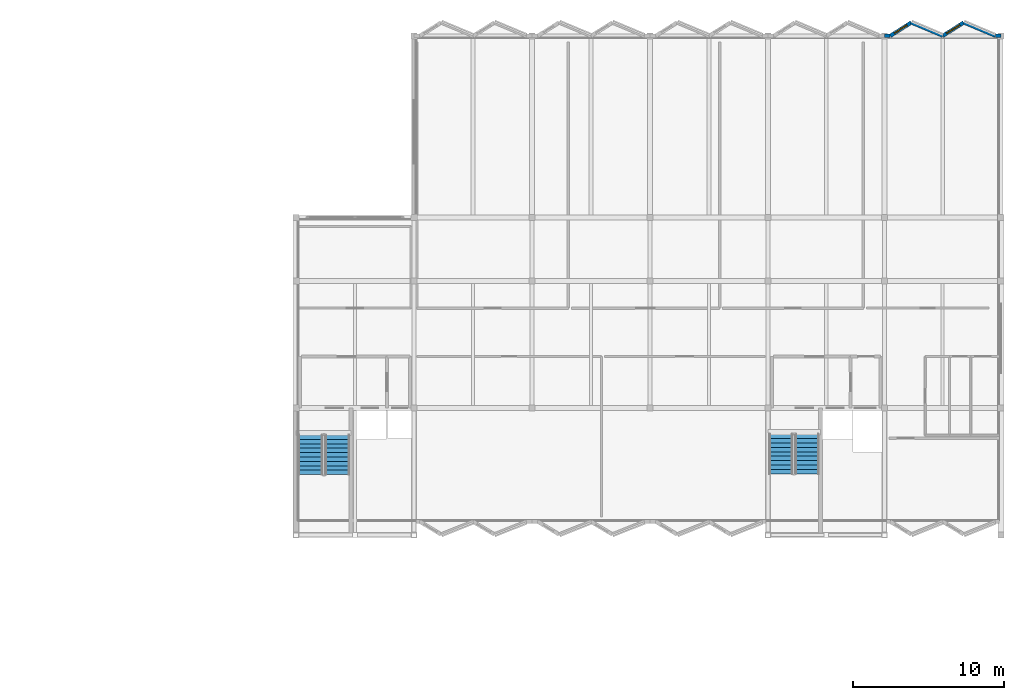
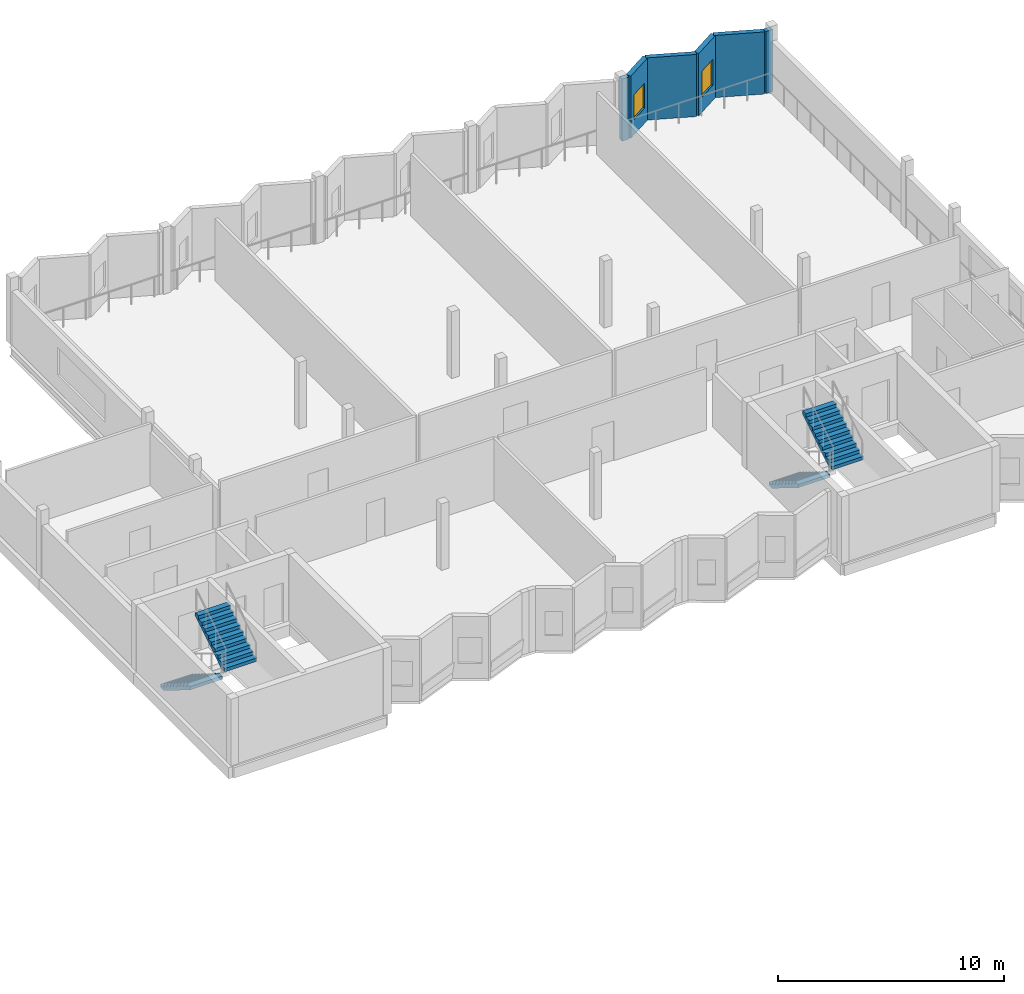
# One storey, part 10 of 15: 6 walls, 4 stair flights, 2 windows, 2 openings, 2 elements without a shape of their own.
"""IFC4 building model written with IfcOpenShell, lengths in metres."""

from ifc_helpers import new_model, si_unit, direction, frame, frame_2d, origin, place, context, subcontext, project, spatial, polyline, rectangle, outline, extrude, material, layer, layer_set, type_object, element, fill, aggregate, save


model = new_model("IFC4")

# Units and contexts
model_context = context("Model", 3, precision=1e-05, world=origin(), true_north=direction((0.0, 1.0)))
body_context = subcontext(model_context, "Body", "Model", "MODEL_VIEW")
ifc_project = project(units=[si_unit("LENGTHUNIT", "METRE"), si_unit("AREAUNIT", "SQUARE_METRE"), si_unit("VOLUMEUNIT", "CUBIC_METRE"), si_unit("PLANEANGLEUNIT", "RADIAN"), si_unit("MASSUNIT", "GRAM", prefix="KILO")], contexts=[model_context])

# Site, building, storey
site_placement = place(None, origin())
site = spatial("IfcSite", under=ifc_project, at=site_placement, CompositionType="ELEMENT")
building_placement = place(site_placement, origin())
building = spatial("IfcBuilding", under=site, at=building_placement, Name="Vharandega Faculty of Natural Sciences", CompositionType="ELEMENT")
storey_placement = place(building_placement, frame((0.0, 0.0, 32.39990234375)))
storey = spatial("IfcBuildingStorey", under=building, at=storey_placement, Name="L08", CompositionType="ELEMENT", Elevation=32.39990234375)

# Wall, opening, window
ifc_material_1 = material(Name="Precast concrete C40/50", Category="concrete")
ifc_layer_1 = layer(ifc_material_1, 0.25, Name="Precast concrete C40/50")
ifc_layer_set_1 = layer_set([ifc_layer_1], Name="Precast concrete C40/50")
wall_type_1 = type_object("IfcWallType", Name="Sawtooth Glazed-Face Precast Wall 250", PredefinedType="SOLIDWALL", material=ifc_layer_set_1)
wall_1_placement = place(storey_placement, frame((154.080078125, 97.0, 0.0), z_axis=(0.0, 0.0, 1.0), x_axis=(0.844583954912, 0.535423143976, 0.0)))
wall_1 = element("IfcWall", 1, at=wall_1_placement, inside=storey, type_object=wall_type_1, Name="Exterior Wall EW-SAW-L08-N09G", PredefinedType="SOLIDWALL", context=body_context, shape_type="SweptSolid", body=[
    extrude(rectangle(XDim=1.643310546875, YDim=0.25, at=frame_2d((0.82177734375, 0.0))), origin(), (0.0, 0.0, 1.0), 3.360107421875),
])
opening_1_placement = place(wall_1_placement, frame((0.32177734375, 0.0, 0.820068359375)))
opening_1 = element("IfcOpeningElement", 2, at=opening_1_placement, cuts=wall_1, Name="Opening WN-05", PredefinedType="OPENING", context=body_context, shape_type="SweptSolid", body=[
    extrude(rectangle(XDim=1.0, YDim=1.35009765625, at=frame_2d((0.5, 0.675048828125))), frame((0.0, 0.135009765625, 0.0), z_axis=(0.0, -1.0, 0.0), x_axis=(1.0, 0.0, 0.0)), (0.0, 0.0, 1.0), 0.27001953125),
])
ifc_material_2 = material(Name="Double-glazed solar-control glass in thermally broken aluminium frame", Category="aluminium")
window_type_1 = type_object("IfcWindowType", Name="WIN-SAW-100x135", PartitioningType="SINGLE_PANEL", PredefinedType="WINDOW", material=ifc_material_2)
window_1_placement = place(opening_1_placement, origin())
window_1 = element("IfcWindow", 3, at=window_1_placement, inside=storey, type_object=window_type_1, Name="Window WIN-L08-0077", OverallHeight=1.35009765625, OverallWidth=1.0, PartitioningType="SINGLE_PANEL", PredefinedType="WINDOW", context=body_context, shape_type="SweptSolid", body=[
    extrude(rectangle(XDim=1.0, YDim=1.35009765625, at=frame_2d((0.5, 0.675048828125))), frame((0.0, 0.030029296875, 0.0), z_axis=(0.0, -1.0, 0.0), x_axis=(1.0, 0.0, 0.0)), (0.0, 0.0, 1.0), 0.06005859375),
])
fill(opening_1, window_1)

wall_2_placement = place(storey_placement, frame((157.550048828125, 97.0, 0.0), z_axis=(0.0, 0.0, 1.0), x_axis=(0.844583954912, 0.535423143976, 0.0)))
wall_2 = element("IfcWall", 4, at=wall_2_placement, inside=storey, type_object=wall_type_1, Name="Exterior Wall EW-SAW-L08-N10G", PredefinedType="SOLIDWALL", context=body_context, shape_type="SweptSolid", body=[
    extrude(rectangle(XDim=1.643310546875, YDim=0.25, at=frame_2d((0.82177734375, 0.0))), origin(), (0.0, 0.0, 1.0), 3.360107421875),
])
opening_2_placement = place(wall_2_placement, frame((0.296630859375, 0.0, 0.820068359375)))
opening_2 = element("IfcOpeningElement", 5, at=opening_2_placement, cuts=wall_2, Name="Opening WN-06", PredefinedType="OPENING", context=body_context, shape_type="SweptSolid", body=[
    extrude(rectangle(XDim=1.050048828125, YDim=1.39990234375, at=frame_2d((0.52490234375, 0.699951171875))), frame((0.0, 0.135009765625, 0.0), z_axis=(0.0, -1.0, 0.0), x_axis=(1.0, 0.0, 0.0)), (0.0, 0.0, 1.0), 0.27001953125),
])
ifc_material_3 = material(Name="Double-glazed solar-control glass in thermally broken aluminium frame", Category="aluminium")
window_type_2 = type_object("IfcWindowType", Name="WIN-SAW-105x140", PartitioningType="SINGLE_PANEL", PredefinedType="WINDOW", material=ifc_material_3)
window_2_placement = place(opening_2_placement, origin())
window_2 = element("IfcWindow", 6, at=window_2_placement, inside=storey, type_object=window_type_2, Name="Window WIN-L08-0078", OverallHeight=1.39990234375, OverallWidth=1.050048828125, PartitioningType="SINGLE_PANEL", PredefinedType="WINDOW", context=body_context, shape_type="SweptSolid", body=[
    extrude(rectangle(XDim=1.050048828125, YDim=1.39990234375, at=frame_2d((0.52490234375, 0.699951171875))), frame((0.0, 0.030029296875, 0.0), z_axis=(0.0, -1.0, 0.0), x_axis=(1.0, 0.0, 0.0)), (0.0, 0.0, 1.0), 0.06005859375),
])
fill(opening_2, window_2)

# Walls
ifc_material_4 = material(Name="Precast concrete C40/50", Category="concrete")
ifc_layer_2 = layer(ifc_material_4, 0.22998046875, Name="Precast concrete C40/50")
ifc_layer_set_2 = layer_set([ifc_layer_2], Name="Precast concrete C40/50")
wall_type_2 = type_object("IfcWallType", Name="Sawtooth Solid White Precast Wall 230", PredefinedType="SOLIDWALL", material=ifc_layer_set_2)
wall_3_placement = place(storey_placement, frame((153.699951171875, 97.0, 0.0), z_axis=(0.0, 0.0, 1.0), x_axis=(1.0, 0.0, 0.0)))
element("IfcWall", 7, at=wall_3_placement, inside=storey, type_object=wall_type_2, Name="Exterior Wall EW-SHL-L08-N20L", PredefinedType="SOLIDWALL", context=body_context, shape_type="SweptSolid", body=[
    extrude(rectangle(XDim=0.35009765625, YDim=0.22998046875, at=frame_2d((0.175048828125, 0.0))), origin(), (0.0, 0.0, 1.0), 3.360107421875),
])
wall_4_placement = place(storey_placement, frame((161.050048828125, 97.0, 0.0), z_axis=(0.0, 0.0, 1.0), x_axis=(1.0, 0.0, 0.0)))
element("IfcWall", 8, at=wall_4_placement, inside=storey, type_object=wall_type_2, Name="Exterior Wall EW-SHL-L08-N21R", PredefinedType="SOLIDWALL", context=body_context, shape_type="SweptSolid", body=[
    extrude(rectangle(XDim=0.349853515625, YDim=0.22998046875, at=frame_2d((0.1748046875, 0.0))), origin(), (0.0, 0.0, 1.0), 3.360107421875),
])
for number, where, z_axis, x_axis, name in (
    (9, (155.468017578125, 97.8798828125, 0.0), (0.0, 0.0, 1.0), (0.921122216024, -0.389273506866, 0.0), "Exterior Wall EW-SAW-L08-N09S"),
    (10, (158.93798828125, 97.8798828125, 0.0), (0.0, 0.0, 1.0), (0.921122216024, -0.389273506866, 0.0), "Exterior Wall EW-SAW-L08-N10S"),
):
    element("IfcWall", number, at=place(storey_placement, frame(where, z_axis=z_axis, x_axis=x_axis)), inside=storey, type_object=wall_type_2, Name=name, PredefinedType="SOLIDWALL", context=body_context, shape_type="SweptSolid", body=[
        extrude(rectangle(XDim=2.26025390625, YDim=0.22998046875, at=frame_2d((1.130126953125, 0.0))), origin(), (0.0, 0.0, 1.0), 3.360107421875),
    ])

# Stair, stair flights
ifc_material_5 = material(Name="Concrete C40/50", Category="concrete")
stair_type_1 = type_object("IfcStairType", Name="Escape Dog-Leg Stair W160 H360", PredefinedType="HALF_TURN_STAIR", material=ifc_material_5)
stair_1_placement = place(storey_placement, origin())
stair_1 = element("IfcStair", 11, at=stair_1_placement, inside=storey, type_object=stair_type_1, Name="L08 Escape Stair ST2", PredefinedType="HALF_TURN_STAIR")
ifc_material_6 = material(Name="Concrete C40/50", Category="concrete")
stair_flight_type_1 = type_object("IfcStairFlightType", Name="Precast Stair Flight W160 H360", PredefinedType="STRAIGHT", material=ifc_material_6)
stair_flight_1_placement = place(storey_placement, frame((146.860107421875, 70.659912109375, 0.0), z_axis=(0.0, 0.0, 1.0), x_axis=(0.0, -1.0, 0.0)))
stair_flight_1 = element("IfcStairFlight", 12, at=stair_flight_1_placement, type_object=stair_flight_type_1, Name="ST2 flight 1", NumberOfRisers=10, NumberOfTreads=9, PredefinedType="STRAIGHT", RiserHeight=0.18, TreadLength=0.29, context=body_context, shape_type="SweptSolid", body=[
    extrude(outline(polyline([(0.0, 0.0), (0.0, 0.179931640625), (0.2900390625, 0.179931640625), (0.2900390625, 0.360107421875), (0.580078125, 0.360107421875), (0.580078125, 0.5400390625), (0.8701171875, 0.5400390625), (0.8701171875, 0.719970703125), (1.159912109375, 0.719970703125), (1.159912109375, 0.89990234375), (1.449951171875, 0.89990234375), (1.449951171875, 1.080078125), (1.739990234375, 1.080078125), (1.739990234375, 1.260009765625), (2.030029296875, 1.260009765625), (2.030029296875, 1.43994140625), (2.320068359375, 1.43994140625), (2.320068359375, 1.6201171875), (2.610107421875, 1.6201171875), (2.610107421875, 1.800048828125), (2.610107421875, 1.443603515625), (0.2841796875, 0.0), (0.0, 0.0)])), frame((0.0, 0.800048828125, 0.0), z_axis=(0.0, -1.0, 0.0), x_axis=(1.0, 0.0, 0.0)), (0.0, 0.0, 1.0), 1.60009765625),
])
stair_flight_2_placement = place(storey_placement, frame((148.580078125, 68.050048828125, 1.800048828125), z_axis=(0.0, 0.0, 1.0), x_axis=(0.0, 1.0, 0.0)))
stair_flight_2 = element("IfcStairFlight", 13, at=stair_flight_2_placement, type_object=stair_flight_type_1, Name="ST2 flight 2", NumberOfRisers=10, NumberOfTreads=9, PredefinedType="STRAIGHT", RiserHeight=0.18, TreadLength=0.29, context=body_context, shape_type="SweptSolid", body=[
    extrude(outline(polyline([(0.0, 0.0), (0.0, 0.179931640625), (0.2900390625, 0.179931640625), (0.2900390625, 0.360107421875), (0.580078125, 0.360107421875), (0.580078125, 0.5400390625), (0.8701171875, 0.5400390625), (0.8701171875, 0.719970703125), (1.159912109375, 0.719970703125), (1.159912109375, 0.89990234375), (1.449951171875, 0.89990234375), (1.449951171875, 1.080078125), (1.739990234375, 1.080078125), (1.739990234375, 1.260009765625), (2.030029296875, 1.260009765625), (2.030029296875, 1.43994140625), (2.320068359375, 1.43994140625), (2.320068359375, 1.6201171875), (2.610107421875, 1.6201171875), (2.610107421875, 1.800048828125), (2.610107421875, 1.443603515625), (0.2841796875, 0.0), (0.0, 0.0)])), frame((0.0, 0.800048828125, 0.0), z_axis=(0.0, -1.0, 0.0), x_axis=(1.0, 0.0, 0.0)), (0.0, 0.0, 1.0), 1.60009765625),
])
aggregate(stair_1, [stair_flight_1, stair_flight_2])

ifc_material_7 = material(Name="Concrete C40/50", Category="concrete")
stair_type_2 = type_object("IfcStairType", Name="Escape Dog-Leg Stair W165 H360", PredefinedType="HALF_TURN_STAIR", material=ifc_material_7)
stair_2_placement = place(storey_placement, origin())
stair_2 = element("IfcStair", 14, at=stair_2_placement, inside=storey, type_object=stair_type_2, Name="L08 Escape Stair ST1", PredefinedType="HALF_TURN_STAIR")
ifc_material_8 = material(Name="Concrete C40/50", Category="concrete")
stair_flight_type_2 = type_object("IfcStairFlightType", Name="Precast Stair Flight W165 H360", PredefinedType="STRAIGHT", material=ifc_material_8)
stair_flight_3_placement = place(storey_placement, frame((115.764892578125, 70.610107421875, 0.0), z_axis=(0.0, 0.0, 1.0), x_axis=(0.0, -1.0, 0.0)))
stair_flight_3 = element("IfcStairFlight", 15, at=stair_flight_3_placement, type_object=stair_flight_type_2, Name="ST1 flight 1", NumberOfRisers=10, NumberOfTreads=9, PredefinedType="STRAIGHT", RiserHeight=0.18, TreadLength=0.29, context=body_context, shape_type="SweptSolid", body=[
    extrude(outline(polyline([(0.0, 0.0), (0.0, 0.179931640625), (0.2900390625, 0.179931640625), (0.2900390625, 0.360107421875), (0.580078125, 0.360107421875), (0.580078125, 0.5400390625), (0.8701171875, 0.5400390625), (0.8701171875, 0.719970703125), (1.159912109375, 0.719970703125), (1.159912109375, 0.89990234375), (1.449951171875, 0.89990234375), (1.449951171875, 1.080078125), (1.739990234375, 1.080078125), (1.739990234375, 1.260009765625), (2.030029296875, 1.260009765625), (2.030029296875, 1.43994140625), (2.320068359375, 1.43994140625), (2.320068359375, 1.6201171875), (2.610107421875, 1.6201171875), (2.610107421875, 1.800048828125), (2.610107421875, 1.443603515625), (0.2841796875, 0.0), (0.0, 0.0)])), frame((0.0, 0.824951171875, 0.0), z_axis=(0.0, -1.0, 0.0), x_axis=(1.0, 0.0, 0.0)), (0.0, 0.0, 1.0), 1.64990234375),
])
stair_flight_4_placement = place(storey_placement, frame((117.534912109375, 68.0, 1.800048828125), z_axis=(0.0, 0.0, 1.0), x_axis=(0.0, 1.0, 0.0)))
stair_flight_4 = element("IfcStairFlight", 16, at=stair_flight_4_placement, type_object=stair_flight_type_2, Name="ST1 flight 2", NumberOfRisers=10, NumberOfTreads=9, PredefinedType="STRAIGHT", RiserHeight=0.18, TreadLength=0.29, context=body_context, shape_type="SweptSolid", body=[
    extrude(outline(polyline([(0.0, 0.0), (0.0, 0.179931640625), (0.2900390625, 0.179931640625), (0.2900390625, 0.360107421875), (0.580078125, 0.360107421875), (0.580078125, 0.5400390625), (0.8701171875, 0.5400390625), (0.8701171875, 0.719970703125), (1.159912109375, 0.719970703125), (1.159912109375, 0.89990234375), (1.449951171875, 0.89990234375), (1.449951171875, 1.080078125), (1.739990234375, 1.080078125), (1.739990234375, 1.260009765625), (2.030029296875, 1.260009765625), (2.030029296875, 1.43994140625), (2.320068359375, 1.43994140625), (2.320068359375, 1.6201171875), (2.610107421875, 1.6201171875), (2.610107421875, 1.800048828125), (2.610107421875, 1.443603515625), (0.2841796875, 0.0), (0.0, 0.0)])), frame((0.0, 0.824951171875, 0.0), z_axis=(0.0, -1.0, 0.0), x_axis=(1.0, 0.0, 0.0)), (0.0, 0.0, 1.0), 1.64990234375),
])
aggregate(stair_2, [stair_flight_3, stair_flight_4])

save(model, "model.ifc")
